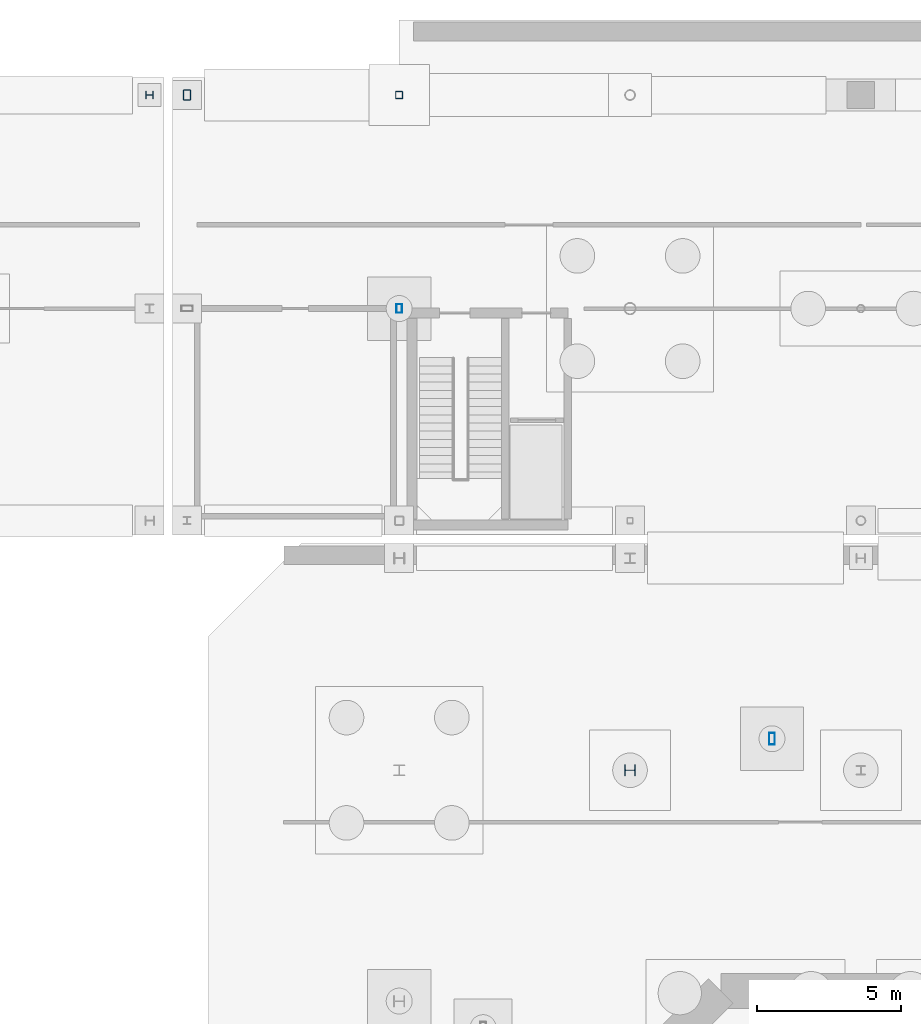
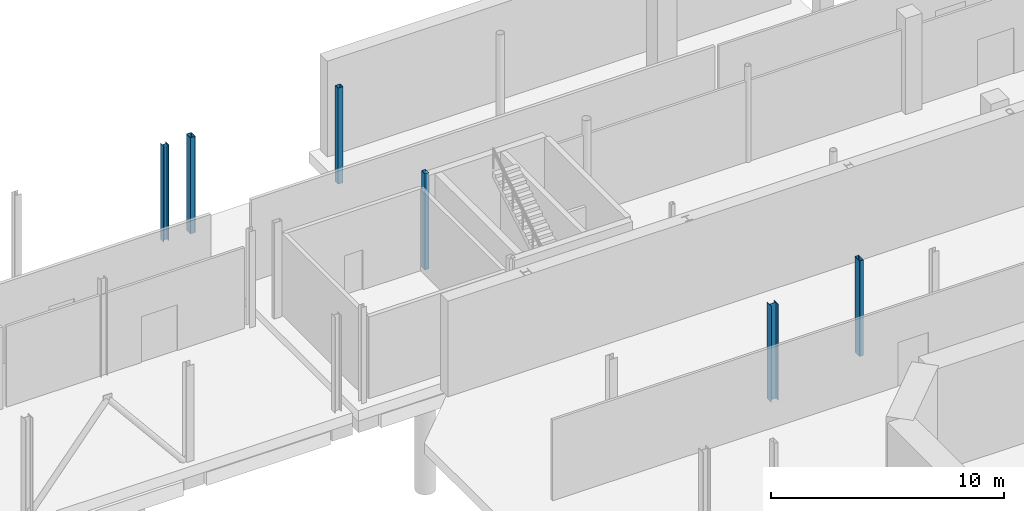
# One storey, part 15 of 33: 6 columns.
"""IFC4 building model written with IfcOpenShell, lengths in metres."""

from ifc_helpers import new_model, si_unit, direction, frame, origin, origin_2d, place, context, subcontext, project, spatial, hollow_rectangle, i_section, extrude, material, material_profile, profile_set, type_object, element, save


model = new_model("IFC4")

# Units and contexts
model_context = context("Model", 3, precision=1e-05, world=origin(), true_north=direction((0.0, 1.0)))
body_context = subcontext(model_context, "Body", "Model", "MODEL_VIEW")
ifc_project = project(units=[si_unit("LENGTHUNIT", "METRE"), si_unit("AREAUNIT", "SQUARE_METRE"), si_unit("VOLUMEUNIT", "CUBIC_METRE"), si_unit("PLANEANGLEUNIT", "RADIAN"), si_unit("MASSUNIT", "GRAM", prefix="KILO")], contexts=[model_context])

# Site, building, storey
site_placement = place(None, origin())
site = spatial("IfcSite", under=ifc_project, at=site_placement, CompositionType="ELEMENT")
building_placement = place(site_placement, origin())
building = spatial("IfcBuilding", under=site, at=building_placement, Name="Brisemont Oceanarium", CompositionType="ELEMENT")
storey_placement = place(building_placement, frame((0.0, 0.0, -5.39990234375)))
storey = spatial("IfcBuildingStorey", under=building, at=storey_placement, Name="B01", CompositionType="ELEMENT", Elevation=-5.39990234375)

# Columns
ifc_material_1 = material(Name="Structural Steel ASTM A500 Gr.C", Category="steel")
ifc_material_profile_1 = material_profile(ifc_material_1, hollow_rectangle(XDim=0.25390625, YDim=0.25390625, WallThickness=0.01171875, InnerFilletRadius=0.01220703125, OuterFilletRadius=0.02392578125, at=origin_2d()), Name="HSS10X10X1/2")
ifc_profile_set_1 = profile_set([ifc_material_profile_1], Name="Structural Steel ASTM A500 Gr.C")
column_type_1 = type_object("IfcColumnType", Name="COL-HSS10X10", PredefinedType="COLUMN", material=ifc_profile_set_1)
column_1_placement = place(storey_placement, frame((64.0, 95.39990234375, 0.0), z_axis=(0.0, 0.0, 1.0), x_axis=(0.0, 1.0, 0.0)))
element("IfcColumn", 1, at=column_1_placement, inside=storey, type_object=column_type_1, Name="V7E B01 column (1,2)", PredefinedType="COLUMN", context=body_context, shape_type="SweptSolid", body=[
    extrude(hollow_rectangle(XDim=0.25390625, YDim=0.25390625, WallThickness=0.01171875, InnerFilletRadius=0.01220703125, OuterFilletRadius=0.02392578125, at=origin_2d()), origin(), (0.0, 0.0, 1.0), 5.039794921875),
])
ifc_material_2 = material(Name="Structural Steel ASTM A500 Gr.C", Category="steel")
ifc_material_profile_2 = material_profile(ifc_material_2, hollow_rectangle(XDim=0.202880859375, YDim=0.304931640625, WallThickness=0.0087890625, InnerFilletRadius=0.009033203125, OuterFilletRadius=0.01806640625, at=origin_2d()), Name="HSS12X8X3/8")
ifc_profile_set_2 = profile_set([ifc_material_profile_2], Name="Structural Steel ASTM A500 Gr.C")
column_type_2 = type_object("IfcColumnType", Name="COL-HSS12X8", PredefinedType="COLUMN", material=ifc_profile_set_2)
column_2_placement = place(storey_placement, frame((64.0, 88.0, 0.0), z_axis=(0.0, 0.0, 1.0), x_axis=(1.0, 0.0, 0.0)))
element("IfcColumn", 2, at=column_2_placement, inside=storey, type_object=column_type_2, Name="V7E B01 column (1,1)", PredefinedType="COLUMN", context=body_context, shape_type="SweptSolid", body=[
    extrude(hollow_rectangle(XDim=0.202880859375, YDim=0.304931640625, WallThickness=0.0087890625, InnerFilletRadius=0.009033203125, OuterFilletRadius=0.01806640625, at=origin_2d()), origin(), (0.0, 0.0, 1.0), 5.039794921875),
])
ifc_material_3 = material(Name="Structural Steel ASTM A500 Gr.C", Category="steel")
ifc_material_profile_3 = material_profile(ifc_material_3, hollow_rectangle(XDim=0.25390625, YDim=0.35595703125, WallThickness=0.01171875, InnerFilletRadius=0.01220703125, OuterFilletRadius=0.02392578125, at=origin_2d()), Name="HSS14X10X1/2")
ifc_profile_set_3 = profile_set([ifc_material_profile_3], Name="Structural Steel ASTM A500 Gr.C")
column_type_3 = type_object("IfcColumnType", Name="COL-HSS14X10", PredefinedType="COLUMN", material=ifc_profile_set_3)
column_3_placement = place(storey_placement, frame((56.64990234375, 95.39990234375, 0.0), z_axis=(0.0, 0.0, 1.0), x_axis=(1.0, 0.0, 0.0)))
element("IfcColumn", 3, at=column_3_placement, inside=storey, type_object=column_type_3, Name="V7E B01 column (0,2)", PredefinedType="COLUMN", context=body_context, shape_type="SweptSolid", body=[
    extrude(hollow_rectangle(XDim=0.25390625, YDim=0.35595703125, WallThickness=0.01171875, InnerFilletRadius=0.01220703125, OuterFilletRadius=0.02392578125, at=origin_2d()), origin(), (0.0, 0.0, 1.0), 5.039794921875),
])
ifc_material_4 = material(Name="Structural Steel ASTM A500 Gr.C", Category="steel")
ifc_material_profile_4 = material_profile(ifc_material_4, hollow_rectangle(XDim=0.202880859375, YDim=0.406005859375, WallThickness=0.01171875, InnerFilletRadius=0.01220703125, OuterFilletRadius=0.02392578125, at=origin_2d()), Name="HSS16X8X1/2")
ifc_profile_set_4 = profile_set([ifc_material_profile_4], Name="Structural Steel ASTM A500 Gr.C")
column_type_4 = type_object("IfcColumnType", Name="COL-HSS16X8", PredefinedType="COLUMN", material=ifc_profile_set_4)
column_4_placement = place(storey_placement, frame((76.92041015625, 73.091796875, 0.0), z_axis=(0.0, 0.0, 1.0), x_axis=(1.0, 0.0, 0.0)))
element("IfcColumn", 4, at=column_4_placement, inside=storey, type_object=column_type_4, Name="V1 dome drum pier B01.3", PredefinedType="COLUMN", context=body_context, shape_type="SweptSolid", body=[
    extrude(hollow_rectangle(XDim=0.202880859375, YDim=0.406005859375, WallThickness=0.01171875, InnerFilletRadius=0.01220703125, OuterFilletRadius=0.02392578125, at=origin_2d()), origin(), (0.0, 0.0, 1.0), 5.02001953125),
])
ifc_material_5 = material(Name="Structural Steel ASTM A992 Gr.50", Category="steel")
ifc_material_profile_5 = material_profile(ifc_material_5, i_section(OverallWidth=0.256103515625, OverallDepth=0.260009765625, WebThickness=0.0107421875, FlangeThickness=0.017333984375, FilletRadius=0.010986328125, at=origin_2d()), Name="W10X60")
ifc_profile_set_5 = profile_set([ifc_material_profile_5], Name="Structural Steel ASTM A992 Gr.50")
column_type_5 = type_object("IfcColumnType", Name="COL-W10X60", PredefinedType="COLUMN", material=ifc_profile_set_5)
column_5_placement = place(storey_placement, frame((55.35009765625, 95.39990234375, 0.0), z_axis=(0.0, 0.0, 1.0), x_axis=(0.0, 1.0, 0.0)))
element("IfcColumn", 5, at=column_5_placement, inside=storey, type_object=column_type_5, Name="V7W B01 column (5,2)", PredefinedType="COLUMN", context=body_context, shape_type="SweptSolid", body=[
    extrude(i_section(OverallWidth=0.256103515625, OverallDepth=0.260009765625, WebThickness=0.0107421875, FlangeThickness=0.017333984375, FilletRadius=0.010986328125, at=origin_2d()), origin(), (0.0, 0.0, 1.0), 5.039794921875),
])
ifc_material_6 = material(Name="Structural Steel ASTM A992 Gr.50", Category="steel")
ifc_material_profile_6 = material_profile(ifc_material_6, i_section(OverallWidth=0.37109375, OverallDepth=0.361083984375, WebThickness=0.01220703125, FlangeThickness=0.019775390625, FilletRadius=0.014892578125, at=origin_2d()), Name="W14X99")
ifc_profile_set_6 = profile_set([ifc_material_profile_6], Name="Structural Steel ASTM A992 Gr.50")
column_type_6 = type_object("IfcColumnType", Name="COL-W14X99", PredefinedType="COLUMN", material=ifc_profile_set_6)
column_6_placement = place(storey_placement, frame((72.0, 72.0, 0.0), z_axis=(0.0, 0.0, 1.0), x_axis=(0.0, 1.0, 0.0)))
element("IfcColumn", 6, at=column_6_placement, inside=storey, type_object=column_type_6, Name="V1 B01 column (2,5)", PredefinedType="COLUMN", context=body_context, shape_type="SweptSolid", body=[
    extrude(i_section(OverallWidth=0.37109375, OverallDepth=0.361083984375, WebThickness=0.01220703125, FlangeThickness=0.019775390625, FilletRadius=0.014892578125, at=origin_2d()), origin(), (0.0, 0.0, 1.0), 5.039794921875),
])

save(model, "model.ifc")
